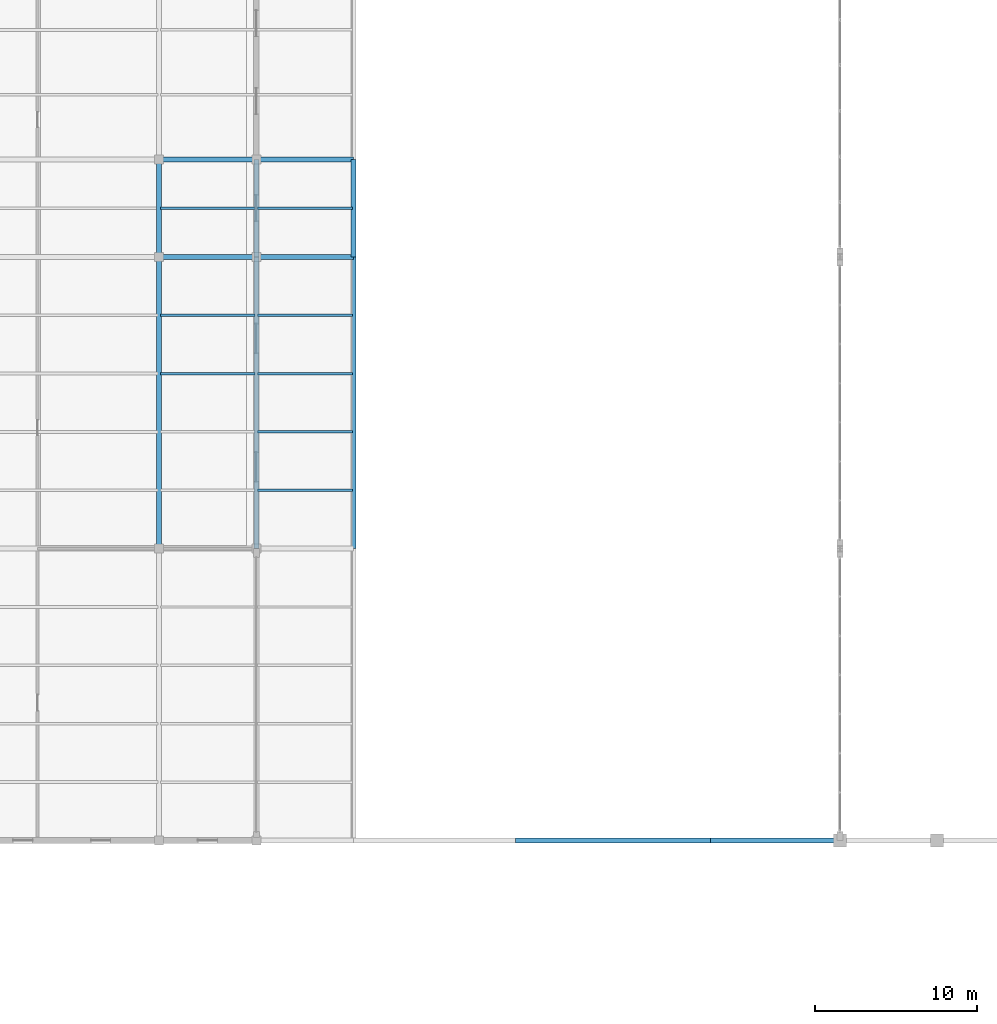
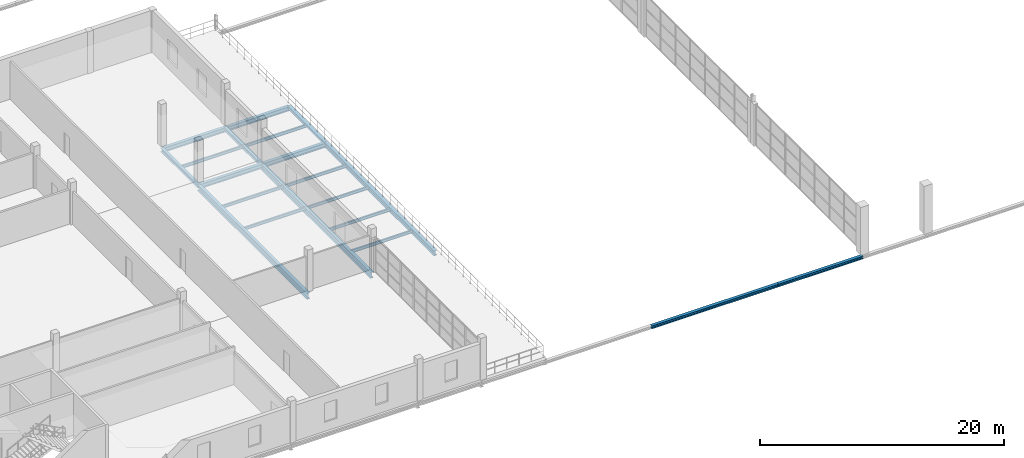
# One storey, part 18 of 86: 20 beams.
"""IFC4 building model written with IfcOpenShell, lengths in metres."""

from ifc_helpers import new_model, si_unit, direction, frame, origin, origin_2d, place, context, subcontext, project, spatial, i_section, extrude, material, material_profile, profile_set, type_object, element, save


model = new_model("IFC4")

# Units and contexts
model_context = context("Model", 3, precision=1e-05, world=origin(), true_north=direction((0.0, 1.0)))
body_context = subcontext(model_context, "Body", "Model", "MODEL_VIEW")
ifc_project = project(units=[si_unit("LENGTHUNIT", "METRE"), si_unit("AREAUNIT", "SQUARE_METRE"), si_unit("VOLUMEUNIT", "CUBIC_METRE"), si_unit("PLANEANGLEUNIT", "RADIAN"), si_unit("MASSUNIT", "GRAM", prefix="KILO")], contexts=[model_context])

# Site, building, storey
site_placement = place(None, origin())
site = spatial("IfcSite", under=ifc_project, at=site_placement, CompositionType="ELEMENT")
building_placement = place(site_placement, origin())
building = spatial("IfcBuilding", under=site, at=building_placement, Name="Zilviju Railside Exhibition Hall", CompositionType="ELEMENT")
storey_placement = place(building_placement, frame((0.0, 0.0, 12.60009765625)))
storey = spatial("IfcBuildingStorey", under=building, at=storey_placement, Name="L04", CompositionType="ELEMENT", Elevation=12.60009765625)

# Beams
ifc_material = material(Name="Steel S355J2", Category="steel")
ifc_material_profile_1 = material_profile(ifc_material, i_section(OverallWidth=0.300048828125, OverallDepth=0.2900390625, WebThickness=0.008544921875, FlangeThickness=0.013916015625, at=origin_2d()), Name="HEA 300")
ifc_profile_set_1 = profile_set([ifc_material_profile_1], Name="Steel S355J2")
beam_type_1 = type_object("IfcBeamType", Name="BM-HEA300", PredefinedType="SPANDREL", material=ifc_profile_set_1)
beam_1_placement = place(storey_placement, frame((58.0, 84.0, -0.485107421875), z_axis=(1.0, 0.0, 0.0), x_axis=(0.0, 1.0, 0.0)))
element("IfcBeam", 1, at=beam_1_placement, inside=storey, type_object=beam_type_1, Name="Primary Girder L04 Y=84.0 (58.0..70.0)", PredefinedType="SPANDREL", context=body_context, shape_type="SweptSolid", body=[
    extrude(i_section(OverallWidth=0.300048828125, OverallDepth=0.2900390625, WebThickness=0.008544921875, FlangeThickness=0.013916015625, at=origin_2d()), origin(), (0.0, 0.0, 1.0), 12.0),
])
beam_2_placement = place(storey_placement, frame((70.0, 84.0, -0.485107421875), z_axis=(1.0, 0.0, 0.0), x_axis=(0.0, 1.0, 0.0)))
element("IfcBeam", 2, at=beam_2_placement, inside=storey, type_object=beam_type_1, Name="Primary Girder L04 Y=84.0 (70.0..78.0)", PredefinedType="SPANDREL", context=body_context, shape_type="SweptSolid", body=[
    extrude(i_section(OverallWidth=0.300048828125, OverallDepth=0.2900390625, WebThickness=0.008544921875, FlangeThickness=0.013916015625, at=origin_2d()), origin(), (0.0, 0.0, 1.0), 8.0),
])
beam_3_placement = place(storey_placement, frame((48.0, 120.0, -0.445068359375), z_axis=(0.0, 1.0, 0.0), x_axis=(-1.0, 0.0, 0.0)))
element("IfcBeam", 3, at=beam_3_placement, inside=storey, type_object=beam_type_1, Name="Transverse Girder L04 X=48.0 (120.0..126.0)", PredefinedType="SPANDREL", context=body_context, shape_type="SweptSolid", body=[
    extrude(i_section(OverallWidth=0.300048828125, OverallDepth=0.2900390625, WebThickness=0.008544921875, FlangeThickness=0.013916015625, at=origin_2d()), origin(), (0.0, 0.0, 1.0), 6.0),
])
ifc_material_profile_2 = material_profile(ifc_material, i_section(OverallWidth=0.300048828125, OverallDepth=0.43994140625, WebThickness=0.011474609375, FlangeThickness=0.02099609375, at=origin_2d()), Name="HEA 450")
ifc_profile_set_2 = profile_set([ifc_material_profile_2], Name="Steel S355J2")
beam_type_2 = type_object("IfcBeamType", Name="BM-HEA450", PredefinedType="BEAM", material=ifc_profile_set_2)
for number, where, z_axis, x_axis, name in (
    (4, (36.0, 120.0, -0.56005859375), (1.0, 0.0, 0.0), (0.0, 1.0, 0.0), "Primary Girder L04 Y=120.0 (36.0..42.0)"),
    (5, (42.0, 120.0, -0.56005859375), (1.0, 0.0, 0.0), (0.0, 1.0, 0.0), "Primary Girder L04 Y=120.0 (42.0..48.0)"),
    (6, (36.0, 126.0, -0.56005859375), (1.0, 0.0, 0.0), (0.0, 1.0, 0.0), "Primary Girder L04 Y=126.0 (36.0..42.0)"),
    (7, (42.0, 126.0, -0.56005859375), (1.0, 0.0, 0.0), (0.0, 1.0, 0.0), "Primary Girder L04 Y=126.0 (42.0..48.0)"),
):
    element("IfcBeam", number, at=place(storey_placement, frame(where, z_axis=z_axis, x_axis=x_axis)), inside=storey, type_object=beam_type_2, Name=name, PredefinedType="BEAM", context=body_context, shape_type="SweptSolid", body=[
        extrude(i_section(OverallWidth=0.300048828125, OverallDepth=0.43994140625, WebThickness=0.011474609375, FlangeThickness=0.02099609375, at=origin_2d()), origin(), (0.0, 0.0, 1.0), 6.0),
    ])
ifc_material_profile_3 = material_profile(ifc_material, i_section(OverallWidth=0.300048828125, OverallDepth=0.360107421875, WebThickness=0.012451171875, FlangeThickness=0.0224609375, at=origin_2d()), Name="HEB 360")
ifc_profile_set_3 = profile_set([ifc_material_profile_3], Name="Steel S355J2")
beam_type_3 = type_object("IfcBeamType", Name="BM-HEB360", PredefinedType="BEAM", material=ifc_profile_set_3)
for number, where, z_axis, x_axis, name in (
    (8, (36.0, 120.0, -0.52001953125), (0.0, 1.0, 0.0), (-1.0, 0.0, 0.0), "Transverse Girder L04 X=36.0 (120.0..126.0)"),
    (9, (42.0, 120.0, -0.52001953125), (0.0, 1.0, 0.0), (-1.0, 0.0, 0.0), "Transverse Girder L04 X=42.0 (120.0..126.0)"),
):
    element("IfcBeam", number, at=place(storey_placement, frame(where, z_axis=z_axis, x_axis=x_axis)), inside=storey, type_object=beam_type_3, Name=name, PredefinedType="BEAM", context=body_context, shape_type="SweptSolid", body=[
        extrude(i_section(OverallWidth=0.300048828125, OverallDepth=0.360107421875, WebThickness=0.012451171875, FlangeThickness=0.0224609375, at=origin_2d()), origin(), (0.0, 0.0, 1.0), 6.0),
    ])
ifc_material_profile_4 = material_profile(ifc_material, i_section(OverallWidth=0.300048828125, OverallDepth=0.5, WebThickness=0.014404296875, FlangeThickness=0.028076171875, at=origin_2d()), Name="HEB 500")
ifc_profile_set_4 = profile_set([ifc_material_profile_4], Name="Steel S355J2")
beam_type_4 = type_object("IfcBeamType", Name="BM-HEB500", PredefinedType="BEAM", material=ifc_profile_set_4)
beam_4_placement = place(storey_placement, frame((48.0, 102.0, -0.550048828125), z_axis=(0.0, 1.0, 0.0), x_axis=(-1.0, 0.0, 0.0)))
element("IfcBeam", 10, at=beam_4_placement, inside=storey, type_object=beam_type_4, Name="Transverse Girder L04 X=48.0 (102.0..120.0)", PredefinedType="BEAM", context=body_context, shape_type="SweptSolid", body=[
    extrude(i_section(OverallWidth=0.300048828125, OverallDepth=0.5, WebThickness=0.014404296875, FlangeThickness=0.028076171875, at=origin_2d()), origin(), (0.0, 0.0, 1.0), 18.0),
])
ifc_material_profile_5 = material_profile(ifc_material, i_section(OverallWidth=0.300048828125, OverallDepth=0.60009765625, WebThickness=0.015380859375, FlangeThickness=0.030029296875, at=origin_2d()), Name="HEB 600")
ifc_profile_set_5 = profile_set([ifc_material_profile_5], Name="Steel S355J2")
beam_type_5 = type_object("IfcBeamType", Name="BM-HEB600", PredefinedType="BEAM", material=ifc_profile_set_5)
for number, where, z_axis, x_axis, name in (
    (11, (36.0, 102.0, -0.64013671875), (0.0, 1.0, 0.0), (-1.0, 0.0, 0.0), "Transverse Girder L04 X=36.0 (102.0..120.0)"),
    (12, (42.0, 102.0, -0.64013671875), (0.0, 1.0, 0.0), (-1.0, 0.0, 0.0), "Transverse Girder L04 X=42.0 (102.0..120.0)"),
):
    element("IfcBeam", number, at=place(storey_placement, frame(where, z_axis=z_axis, x_axis=x_axis)), inside=storey, type_object=beam_type_5, Name=name, PredefinedType="BEAM", context=body_context, shape_type="SweptSolid", body=[
        extrude(i_section(OverallWidth=0.300048828125, OverallDepth=0.60009765625, WebThickness=0.015380859375, FlangeThickness=0.030029296875, at=origin_2d()), origin(), (0.0, 0.0, 1.0), 18.0),
    ])
ifc_material_profile_6 = material_profile(ifc_material, i_section(OverallWidth=0.14990234375, OverallDepth=0.300048828125, WebThickness=0.007080078125, FlangeThickness=0.0107421875, at=origin_2d()), Name="IPE 300")
ifc_profile_set_6 = profile_set([ifc_material_profile_6], Name="Steel S355J2")
beam_type_6 = type_object("IfcBeamType", Name="BM-IPE300", PredefinedType="JOIST", material=ifc_profile_set_6)
for number, where, z_axis, x_axis, name in (
    (13, (36.080078125, 112.800048828125, -0.489990234375), (1.0, 0.0, 0.0), (0.0, 1.0, 0.0), "Composite Floor Joist L04 Y=112.80 (36.0..42.0)"),
    (14, (36.080078125, 116.39990234375, -0.489990234375), (1.0, 0.0, 0.0), (0.0, 1.0, 0.0), "Composite Floor Joist L04 Y=116.40 (36.0..42.0)"),
    (15, (36.080078125, 123.0, -0.489990234375), (1.0, 0.0, 0.0), (0.0, 1.0, 0.0), "Composite Floor Joist L04 Y=123.00 (36.0..42.0)"),
    (16, (42.080078125, 105.60009765625, -0.489990234375), (1.0, 0.0, 0.0), (0.0, 1.0, 0.0), "Composite Floor Joist L04 Y=105.60 (42.0..48.0)"),
    (17, (42.080078125, 109.199951171875, -0.489990234375), (1.0, 0.0, 0.0), (0.0, 1.0, 0.0), "Composite Floor Joist L04 Y=109.20 (42.0..48.0)"),
    (18, (42.080078125, 112.800048828125, -0.489990234375), (1.0, 0.0, 0.0), (0.0, 1.0, 0.0), "Composite Floor Joist L04 Y=112.80 (42.0..48.0)"),
    (19, (42.080078125, 116.39990234375, -0.489990234375), (1.0, 0.0, 0.0), (0.0, 1.0, 0.0), "Composite Floor Joist L04 Y=116.40 (42.0..48.0)"),
    (20, (42.080078125, 123.0, -0.489990234375), (1.0, 0.0, 0.0), (0.0, 1.0, 0.0), "Composite Floor Joist L04 Y=123.00 (42.0..48.0)"),
):
    element("IfcBeam", number, at=place(storey_placement, frame(where, z_axis=z_axis, x_axis=x_axis)), inside=storey, type_object=beam_type_6, Name=name, PredefinedType="JOIST", context=body_context, shape_type="SweptSolid", body=[
        extrude(i_section(OverallWidth=0.14990234375, OverallDepth=0.300048828125, WebThickness=0.007080078125, FlangeThickness=0.0107421875, at=origin_2d()), origin(), (0.0, 0.0, 1.0), 5.83984375),
    ])

save(model, "model.ifc")
